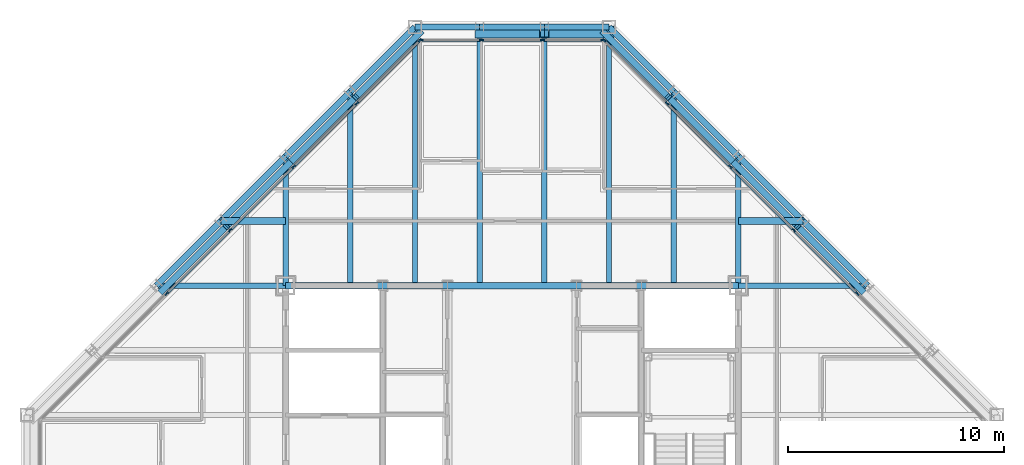
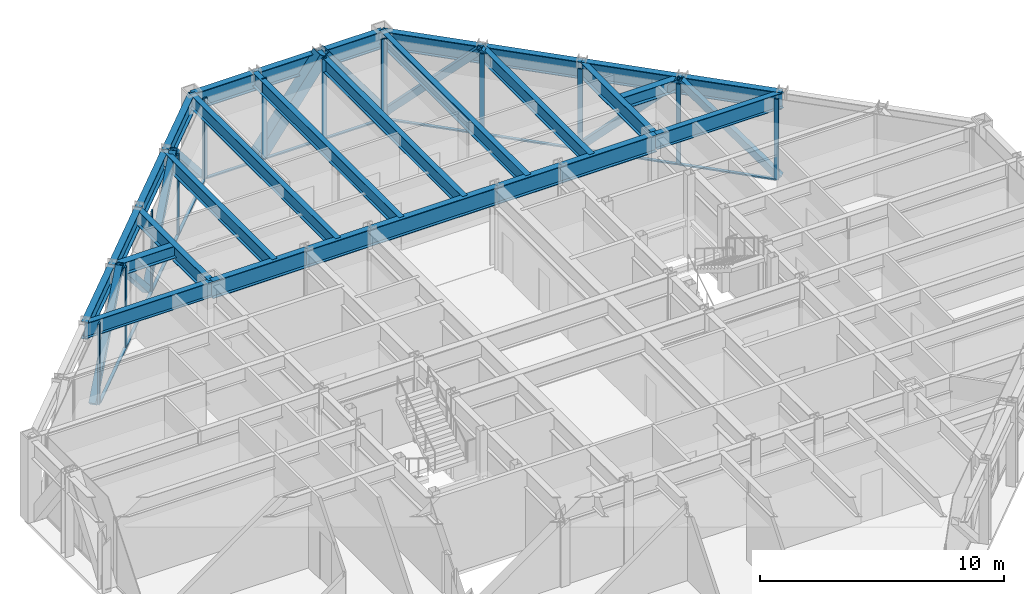
# One storey, part 8 of 15: 35 members, 28 beams, 3 elements without a shape of their own.
"""IFC4 building model written with IfcOpenShell, lengths in metres."""

from ifc_helpers import new_model, si_unit, direction, frame, origin, origin_2d, place, context, subcontext, project, spatial, rectangle, hollow_rectangle, i_section, extrude, material, layer, layer_set, material_profile, profile_set, type_object, element, aggregate, save


model = new_model("IFC4")

# Units and contexts
model_context = context("Model", 3, precision=1e-05, world=origin(), true_north=direction((0.0, 1.0)))
body_context = subcontext(model_context, "Body", "Model", "MODEL_VIEW")
ifc_project = project(units=[si_unit("LENGTHUNIT", "METRE"), si_unit("AREAUNIT", "SQUARE_METRE"), si_unit("VOLUMEUNIT", "CUBIC_METRE"), si_unit("PLANEANGLEUNIT", "RADIAN"), si_unit("MASSUNIT", "GRAM", prefix="KILO")], contexts=[model_context])

# Site, building, storey
site_placement = place(None, origin())
site = spatial("IfcSite", under=ifc_project, at=site_placement, CompositionType="ELEMENT")
building_placement = place(site_placement, origin())
building = spatial("IfcBuilding", under=site, at=building_placement, Name="Chuquiago Exchange Tower", CompositionType="ELEMENT")
storey_placement = place(building_placement, frame((0.0, 0.0, 283.199951171875)))
storey = spatial("IfcBuildingStorey", under=building, at=storey_placement, Name="L63", CompositionType="ELEMENT", Elevation=283.199951171875)

# Beams
ifc_material_1 = material(Name="Steel ASTM A992", Category="steel")
ifc_material_profile_1 = material_profile(ifc_material_1, i_section(OverallWidth=0.25390625, OverallDepth=0.683349609375, WebThickness=0.012451171875, FlangeThickness=0.018798828125, at=origin_2d()), Name="W27X94")
ifc_profile_set_1 = profile_set([ifc_material_profile_1], Name="Steel ASTM A992")
beam_type_1 = type_object("IfcBeamType", Name="B1 W27X94", PredefinedType="BEAM", material=ifc_profile_set_1)
beam_1_placement = place(storey_placement, frame((15.0, 33.0, 3.698486328125), z_axis=(0.0, 1.0, 0.0), x_axis=(-1.0, 0.0, 0.0)))
element("IfcBeam", 1, at=beam_1_placement, inside=storey, type_object=beam_type_1, Name="FB-L64-infill-15_33-15_42-0", PredefinedType="BEAM", context=body_context, shape_type="SweptSolid", body=[
    extrude(i_section(OverallWidth=0.25390625, OverallDepth=0.683349609375, WebThickness=0.012451171875, FlangeThickness=0.018798828125, at=origin_2d()), origin(), (0.0, 0.0, 1.0), 9.0),
])
for number, where, z_axis, x_axis, name in (
    (2, (18.0, 33.0, 3.698486328125), (0.0, 1.0, 0.0), (-1.0, 0.0, 0.0), "FB-L64-infill-18_33-18_45-0"),
    (3, (21.0, 33.0, 3.698486328125), (0.0, 1.0, 0.0), (-1.0, 0.0, 0.0), "FB-L64-infill-21_33-21_45-0"),
    (4, (24.0, 33.0, 3.698486328125), (0.0, 1.0, 0.0), (-1.0, 0.0, 0.0), "FB-L64-infill-24_33-24_45-0"),
    (5, (27.0, 33.0, 3.698486328125), (0.0, 1.0, 0.0), (-1.0, 0.0, 0.0), "FB-L64-infill-27_33-27_45-0"),
):
    element("IfcBeam", number, at=place(storey_placement, frame(where, z_axis=z_axis, x_axis=x_axis)), inside=storey, type_object=beam_type_1, Name=name, PredefinedType="BEAM", context=body_context, shape_type="SweptSolid", body=[
        extrude(i_section(OverallWidth=0.25390625, OverallDepth=0.683349609375, WebThickness=0.012451171875, FlangeThickness=0.018798828125, at=origin_2d()), origin(), (0.0, 0.0, 1.0), 12.0),
    ])
beam_2_placement = place(storey_placement, frame((30.0, 33.0, 3.698486328125), z_axis=(0.0, 1.0, 0.0), x_axis=(-1.0, 0.0, 0.0)))
element("IfcBeam", 6, at=beam_2_placement, inside=storey, type_object=beam_type_1, Name="FB-L64-infill-30_33-30_42-0", PredefinedType="BEAM", context=body_context, shape_type="SweptSolid", body=[
    extrude(i_section(OverallWidth=0.25390625, OverallDepth=0.683349609375, WebThickness=0.012451171875, FlangeThickness=0.018798828125, at=origin_2d()), origin(), (0.0, 0.0, 1.0), 9.0),
])
ifc_material_2 = material(Name="Steel ASTM A992", Category="steel")
ifc_material_profile_2 = material_profile(ifc_material_2, i_section(OverallWidth=0.3251953125, OverallDepth=0.612060546875, WebThickness=0.0126953125, FlangeThickness=0.01904296875, at=origin_2d()), Name="W24X104")
ifc_profile_set_2 = profile_set([ifc_material_profile_2], Name="Steel ASTM A992")
beam_type_2 = type_object("IfcBeamType", Name="B2 W24X104", PredefinedType="BEAM", material=ifc_profile_set_2)
for number, where, z_axis, x_axis, name in (
    (7, (12.0, 36.0, 3.73388671875), (-1.0, 0.0, 0.0), (0.0, -1.0, 0.0), "FB-L64-corner-12_36-9_36-0"),
    (8, (33.0, 36.0, 3.73388671875), (1.0, 0.0, 0.0), (0.0, 1.0, 0.0), "FB-L64-corner-33_36-36_36-0"),
):
    element("IfcBeam", number, at=place(storey_placement, frame(where, z_axis=z_axis, x_axis=x_axis)), inside=storey, type_object=beam_type_2, Name=name, PredefinedType="BEAM", context=body_context, shape_type="SweptSolid", body=[
        extrude(i_section(OverallWidth=0.3251953125, OverallDepth=0.612060546875, WebThickness=0.0126953125, FlangeThickness=0.01904296875, at=origin_2d()), origin(), (0.0, 0.0, 1.0), 3.0),
    ])
ifc_material_3 = material(Name="Steel ASTM A992", Category="steel")
ifc_material_profile_3 = material_profile(ifc_material_3, i_section(OverallWidth=0.2919921875, OverallDepth=0.8583984375, WebThickness=0.01708984375, FlangeThickness=0.031005859375, at=origin_2d()), Name="W33X169")
ifc_profile_set_3 = profile_set([ifc_material_profile_3], Name="Steel ASTM A992")
beam_type_3 = type_object("IfcBeamType", Name="B3 W33X169", PredefinedType="BEAM", material=ifc_profile_set_3)
beam_3_placement = place(storey_placement, frame((12.0, 33.0, 3.61083984375), z_axis=(1.0, 0.0, 0.0), x_axis=(0.0, 1.0, 0.0)))
element("IfcBeam", 9, at=beam_3_placement, inside=storey, type_object=beam_type_3, Name="CB-L64-12_33-16.5_33", PredefinedType="BEAM", context=body_context, shape_type="SweptSolid", body=[
    extrude(i_section(OverallWidth=0.2919921875, OverallDepth=0.8583984375, WebThickness=0.01708984375, FlangeThickness=0.031005859375, at=origin_2d()), origin(), (0.0, 0.0, 1.0), 4.5),
])
beam_4_placement = place(storey_placement, frame((16.5, 33.0, 3.61083984375), z_axis=(1.0, 0.0, 0.0), x_axis=(0.0, 1.0, 0.0)))
element("IfcBeam", 10, at=beam_4_placement, inside=storey, type_object=beam_type_3, Name="CB-L64-16.5_33-19.5_33", PredefinedType="BEAM", context=body_context, shape_type="SweptSolid", body=[
    extrude(i_section(OverallWidth=0.2919921875, OverallDepth=0.8583984375, WebThickness=0.01708984375, FlangeThickness=0.031005859375, at=origin_2d()), origin(), (0.0, 0.0, 1.0), 3.0),
])
beam_5_placement = place(storey_placement, frame((19.5, 33.0, 3.61083984375), z_axis=(1.0, 0.0, 0.0), x_axis=(0.0, 1.0, 0.0)))
element("IfcBeam", 11, at=beam_5_placement, inside=storey, type_object=beam_type_3, Name="CB-L64-19.5_33-25.5_33", PredefinedType="BEAM", context=body_context, shape_type="SweptSolid", body=[
    extrude(i_section(OverallWidth=0.2919921875, OverallDepth=0.8583984375, WebThickness=0.01708984375, FlangeThickness=0.031005859375, at=origin_2d()), origin(), (0.0, 0.0, 1.0), 6.0),
])
beam_6_placement = place(storey_placement, frame((25.5, 33.0, 3.61083984375), z_axis=(1.0, 0.0, 0.0), x_axis=(0.0, 1.0, 0.0)))
element("IfcBeam", 12, at=beam_6_placement, inside=storey, type_object=beam_type_3, Name="CB-L64-25.5_33-28.5_33", PredefinedType="BEAM", context=body_context, shape_type="SweptSolid", body=[
    extrude(i_section(OverallWidth=0.2919921875, OverallDepth=0.8583984375, WebThickness=0.01708984375, FlangeThickness=0.031005859375, at=origin_2d()), origin(), (0.0, 0.0, 1.0), 3.0),
])
beam_7_placement = place(storey_placement, frame((28.5, 33.0, 3.61083984375), z_axis=(1.0, 0.0, 0.0), x_axis=(0.0, 1.0, 0.0)))
element("IfcBeam", 13, at=beam_7_placement, inside=storey, type_object=beam_type_3, Name="CB-L64-28.5_33-33_33", PredefinedType="BEAM", context=body_context, shape_type="SweptSolid", body=[
    extrude(i_section(OverallWidth=0.2919921875, OverallDepth=0.8583984375, WebThickness=0.01708984375, FlangeThickness=0.031005859375, at=origin_2d()), origin(), (0.0, 0.0, 1.0), 4.5),
])

# Curtain wall, members
ifc_material_4 = material(Name="Aluminium curtain wall system", Category="aluminium")
ifc_layer_1 = layer(ifc_material_4, 0.22509765625)
ifc_layer_set_1 = layer_set([ifc_layer_1], Name="CW2 office curtain wall")
curtain_wall_type_1 = type_object("IfcCurtainWallType", Name="CW2 office curtain wall", PredefinedType="NOTDEFINED", material=ifc_layer_set_1)
curtain_wall_1_placement = place(storey_placement, origin())
curtain_wall_1 = element("IfcCurtainWall", 14, at=curtain_wall_1_placement, inside=storey, type_object=curtain_wall_type_1, Name="CW2 curtain wall L63", PredefinedType="NOTDEFINED")
ifc_material_5 = material(Name="Aluminium mullion, pale anodised", Category="aluminium")
ifc_material_profile_4 = material_profile(ifc_material_5, rectangle(XDim=0.06494140625, YDim=0.22509765625, at=origin_2d()), Name="AL 65x225")
ifc_profile_set_4 = profile_set([ifc_material_profile_4], Name="Aluminium mullion, pale anodised")
member_type_1 = type_object("IfcMemberType", Name="CW2-M mullion 65x225", PredefinedType="MULLION", material=ifc_profile_set_4)
member_1_placement = place(storey_placement, frame((26.718994140625, 44.39990234375, 0.0), z_axis=(0.0, 0.0, 1.0), x_axis=(0.0, -1.0, 0.0)))
member_1 = element("IfcMember", 15, at=member_1_placement, type_object=member_type_1, Name="CW2 mullion 1", PredefinedType="MULLION", context=body_context, shape_type="SweptSolid", body=[
    extrude(rectangle(XDim=0.06494140625, YDim=0.22509765625, at=origin_2d()), origin(), (0.0, 0.0, 1.0), 4.0400390625),
])
member_2_placement = place(storey_placement, frame((23.917236328125, 44.39990234375, 0.0), z_axis=(0.0, 0.0, 1.0), x_axis=(0.0, -1.0, 0.0)))
member_2 = element("IfcMember", 16, at=member_2_placement, type_object=member_type_1, Name="CW2 mullion 2", PredefinedType="MULLION", context=body_context, shape_type="SweptSolid", body=[
    extrude(rectangle(XDim=0.06494140625, YDim=0.22509765625, at=origin_2d()), origin(), (0.0, 0.0, 1.0), 4.0400390625),
])
member_3_placement = place(storey_placement, frame((21.082763671875, 44.39990234375, 0.0), z_axis=(0.0, 0.0, 1.0), x_axis=(0.0, -1.0, 0.0)))
member_3 = element("IfcMember", 17, at=member_3_placement, type_object=member_type_1, Name="CW2 mullion 3", PredefinedType="MULLION", context=body_context, shape_type="SweptSolid", body=[
    extrude(rectangle(XDim=0.06494140625, YDim=0.22509765625, at=origin_2d()), origin(), (0.0, 0.0, 1.0), 4.0400390625),
])
member_4_placement = place(storey_placement, frame((18.281005859375, 44.39990234375, 0.0), z_axis=(0.0, 0.0, 1.0), x_axis=(0.0, -1.0, 0.0)))
member_4 = element("IfcMember", 18, at=member_4_placement, type_object=member_type_1, Name="CW2 mullion 4", PredefinedType="MULLION", context=body_context, shape_type="SweptSolid", body=[
    extrude(rectangle(XDim=0.06494140625, YDim=0.22509765625, at=origin_2d()), origin(), (0.0, 0.0, 1.0), 4.0400390625),
])
ifc_material_6 = material(Name="Aluminium transom, pale anodised", Category="aluminium")
ifc_material_profile_5 = material_profile(ifc_material_6, rectangle(XDim=0.139892578125, YDim=0.06494140625, at=origin_2d()), Name="AL 140x65")
ifc_profile_set_5 = profile_set([ifc_material_profile_5], Name="Aluminium transom, pale anodised")
member_type_2 = type_object("IfcMemberType", Name="CW2-T transom 65x140", PredefinedType="MULLION", material=ifc_profile_set_5)
member_5_placement = place(storey_placement, frame((26.6865234375, 44.39990234375, 0.032470703125), z_axis=(-1.0, 0.0, 0.0), x_axis=(0.0, -1.0, 0.0)))
member_5 = element("IfcMember", 19, at=member_5_placement, type_object=member_type_2, Name="CW2 transom 1.1", PredefinedType="MULLION", context=body_context, shape_type="SweptSolid", body=[
    extrude(rectangle(XDim=0.139892578125, YDim=0.06494140625, at=origin_2d()), origin(), (0.0, 0.0, 1.0), 2.73681640625),
])
member_6_placement = place(storey_placement, frame((23.884765625, 44.39990234375, 0.032470703125), z_axis=(-1.0, 0.0, 0.0), x_axis=(0.0, -1.0, 0.0)))
member_6 = element("IfcMember", 20, at=member_6_placement, type_object=member_type_2, Name="CW2 transom 2.1", PredefinedType="MULLION", context=body_context, shape_type="SweptSolid", body=[
    extrude(rectangle(XDim=0.139892578125, YDim=0.06494140625, at=origin_2d()), origin(), (0.0, 0.0, 1.0), 2.76953125),
])
member_7_placement = place(storey_placement, frame((21.05029296875, 44.39990234375, 0.032470703125), z_axis=(-1.0, 0.0, 0.0), x_axis=(0.0, -1.0, 0.0)))
member_7 = element("IfcMember", 21, at=member_7_placement, type_object=member_type_2, Name="CW2 transom 3.1", PredefinedType="MULLION", context=body_context, shape_type="SweptSolid", body=[
    extrude(rectangle(XDim=0.139892578125, YDim=0.06494140625, at=origin_2d()), origin(), (0.0, 0.0, 1.0), 2.73681640625),
])
aggregate(curtain_wall_1, [member_1, member_2, member_3, member_4, member_5, member_6, member_7])

ifc_material_7 = material(Name="Aluminium curtain wall system", Category="aluminium")
ifc_layer_2 = layer(ifc_material_7, 0.199951171875)
ifc_layer_set_2 = layer_set([ifc_layer_2], Name="CW3 facet curtain wall")
curtain_wall_type_2 = type_object("IfcCurtainWallType", Name="CW3 facet curtain wall", PredefinedType="NOTDEFINED", material=ifc_layer_set_2)
curtain_wall_2_placement = place(storey_placement, origin())
curtain_wall_2 = element("IfcCurtainWall", 22, at=curtain_wall_2_placement, inside=storey, type_object=curtain_wall_type_2, Name="CW3 curtain wall L63", PredefinedType="NOTDEFINED")
ifc_material_8 = material(Name="Aluminium mullion, pale anodised", Category="aluminium")
ifc_material_profile_6 = material_profile(ifc_material_8, rectangle(XDim=0.06494140625, YDim=0.199951171875, at=origin_2d()), Name="AL 65x200")
ifc_profile_set_6 = profile_set([ifc_material_profile_6], Name="Aluminium mullion, pale anodised")
member_type_3 = type_object("IfcMemberType", Name="CW3-M mullion 65x200", PredefinedType="MULLION", material=ifc_profile_set_6)
member_8_placement = place(storey_placement, frame((38.51708984375, 32.63427734375, 0.0), z_axis=(0.0, 0.0, 1.0), x_axis=(-0.707106781187, -0.707106781187, 0.0)))
member_8 = element("IfcMember", 23, at=member_8_placement, type_object=member_type_3, Name="CW3 mullion 3", PredefinedType="MULLION", context=body_context, shape_type="SweptSolid", body=[
    extrude(rectangle(XDim=0.06494140625, YDim=0.199951171875, at=origin_2d()), origin(), (0.0, 0.0, 1.0), 4.0400390625),
])
member_9_placement = place(storey_placement, frame((35.57568359375, 35.57568359375, 0.0), z_axis=(0.0, 0.0, 1.0), x_axis=(-0.707106781187, -0.707106781187, 0.0)))
member_9 = element("IfcMember", 24, at=member_9_placement, type_object=member_type_3, Name="CW3 mullion 4", PredefinedType="MULLION", context=body_context, shape_type="SweptSolid", body=[
    extrude(rectangle(XDim=0.06494140625, YDim=0.199951171875, at=origin_2d()), origin(), (0.0, 0.0, 1.0), 4.0400390625),
])
member_10_placement = place(storey_placement, frame((32.63427734375, 38.51708984375, 0.0), z_axis=(0.0, 0.0, 1.0), x_axis=(-0.707106781187, -0.707106781187, 0.0)))
member_10 = element("IfcMember", 25, at=member_10_placement, type_object=member_type_3, Name="CW3 mullion 5", PredefinedType="MULLION", context=body_context, shape_type="SweptSolid", body=[
    extrude(rectangle(XDim=0.06494140625, YDim=0.199951171875, at=origin_2d()), origin(), (0.0, 0.0, 1.0), 4.0400390625),
])
member_11_placement = place(storey_placement, frame((29.69287109375, 41.45849609375, 0.0), z_axis=(0.0, 0.0, 1.0), x_axis=(-0.707106781187, -0.707106781187, 0.0)))
member_11 = element("IfcMember", 26, at=member_11_placement, type_object=member_type_3, Name="CW3 mullion 6", PredefinedType="MULLION", context=body_context, shape_type="SweptSolid", body=[
    extrude(rectangle(XDim=0.06494140625, YDim=0.199951171875, at=origin_2d()), origin(), (0.0, 0.0, 1.0), 4.0400390625),
])
member_12_placement = place(storey_placement, frame((26.7744140625, 44.376953125, 0.0), z_axis=(0.0, 0.0, 1.0), x_axis=(-0.707106781187, -0.707106781187, 0.0)))
member_12 = element("IfcMember", 27, at=member_12_placement, type_object=member_type_3, Name="CW3 mullion 7", PredefinedType="MULLION", context=body_context, shape_type="SweptSolid", body=[
    extrude(rectangle(XDim=0.06494140625, YDim=0.199951171875, at=origin_2d()), origin(), (0.0, 0.0, 1.0), 4.0400390625),
])

curtain_wall_3_placement = place(storey_placement, origin())
curtain_wall_3 = element("IfcCurtainWall", 28, at=curtain_wall_3_placement, inside=storey, type_object=curtain_wall_type_2, Name="CW3 curtain wall L63", PredefinedType="NOTDEFINED")
member_13_placement = place(storey_placement, frame((18.2255859375, 44.376953125, 0.0), z_axis=(0.0, 0.0, 1.0), x_axis=(0.707106781187, -0.707106781187, 0.0)))
member_13 = element("IfcMember", 29, at=member_13_placement, type_object=member_type_3, Name="CW3 mullion 1", PredefinedType="MULLION", context=body_context, shape_type="SweptSolid", body=[
    extrude(rectangle(XDim=0.06494140625, YDim=0.199951171875, at=origin_2d()), origin(), (0.0, 0.0, 1.0), 4.0400390625),
])
member_14_placement = place(storey_placement, frame((15.30712890625, 41.45849609375, 0.0), z_axis=(0.0, 0.0, 1.0), x_axis=(0.707106781187, -0.707106781187, 0.0)))
member_14 = element("IfcMember", 30, at=member_14_placement, type_object=member_type_3, Name="CW3 mullion 2", PredefinedType="MULLION", context=body_context, shape_type="SweptSolid", body=[
    extrude(rectangle(XDim=0.06494140625, YDim=0.199951171875, at=origin_2d()), origin(), (0.0, 0.0, 1.0), 4.0400390625),
])
member_15_placement = place(storey_placement, frame((12.36572265625, 38.51708984375, 0.0), z_axis=(0.0, 0.0, 1.0), x_axis=(0.707106781187, -0.707106781187, 0.0)))
member_15 = element("IfcMember", 31, at=member_15_placement, type_object=member_type_3, Name="CW3 mullion 3", PredefinedType="MULLION", context=body_context, shape_type="SweptSolid", body=[
    extrude(rectangle(XDim=0.06494140625, YDim=0.199951171875, at=origin_2d()), origin(), (0.0, 0.0, 1.0), 4.0400390625),
])
member_16_placement = place(storey_placement, frame((9.42431640625, 35.57568359375, 0.0), z_axis=(0.0, 0.0, 1.0), x_axis=(0.707106781187, -0.707106781187, 0.0)))
member_16 = element("IfcMember", 32, at=member_16_placement, type_object=member_type_3, Name="CW3 mullion 4", PredefinedType="MULLION", context=body_context, shape_type="SweptSolid", body=[
    extrude(rectangle(XDim=0.06494140625, YDim=0.199951171875, at=origin_2d()), origin(), (0.0, 0.0, 1.0), 4.0400390625),
])
member_17_placement = place(storey_placement, frame((6.48291015625, 32.63427734375, 0.0), z_axis=(0.0, 0.0, 1.0), x_axis=(0.707106781187, -0.707106781187, 0.0)))
member_17 = element("IfcMember", 33, at=member_17_placement, type_object=member_type_3, Name="CW3 mullion 5", PredefinedType="MULLION", context=body_context, shape_type="SweptSolid", body=[
    extrude(rectangle(XDim=0.06494140625, YDim=0.199951171875, at=origin_2d()), origin(), (0.0, 0.0, 1.0), 4.0400390625),
])

# Member
ifc_material_9 = material(Name="Aluminium transom, pale anodised", Category="aluminium")
ifc_material_profile_7 = material_profile(ifc_material_9, rectangle(XDim=0.139892578125, YDim=0.06494140625, at=origin_2d()), Name="AL 140x65")
ifc_profile_set_7 = profile_set([ifc_material_profile_7], Name="Aluminium transom, pale anodised")
member_type_4 = type_object("IfcMemberType", Name="CW3-T transom 65x140", PredefinedType="MULLION", material=ifc_profile_set_7)
member_18_placement = place(storey_placement, frame((38.494140625, 32.6572265625, 0.032470703125), z_axis=(-0.707106781187, 0.707106781187, 0.0), x_axis=(-0.707106781187, -0.707106781187, 0.0)))
member_18 = element("IfcMember", 34, at=member_18_placement, type_object=member_type_4, Name="CW3 transom 3.1", PredefinedType="MULLION", context=body_context, shape_type="SweptSolid", body=[
    extrude(rectangle(XDim=0.139892578125, YDim=0.06494140625, at=origin_2d()), origin(), (0.0, 0.0, 1.0), 4.094970703125),
])

member_19_placement = place(storey_placement, frame((35.552734375, 35.5986328125, 0.032470703125), z_axis=(-0.707106781187, 0.707106781187, 0.0), x_axis=(-0.707106781187, -0.707106781187, 0.0)))
member_19 = element("IfcMember", 35, at=member_19_placement, type_object=member_type_4, Name="CW3 transom 4.1", PredefinedType="MULLION", context=body_context, shape_type="SweptSolid", body=[
    extrude(rectangle(XDim=0.139892578125, YDim=0.06494140625, at=origin_2d()), origin(), (0.0, 0.0, 1.0), 4.094970703125),
])

member_20_placement = place(storey_placement, frame((32.611328125, 38.5400390625, 0.032470703125), z_axis=(-0.707106781187, 0.707106781187, 0.0), x_axis=(-0.707106781187, -0.707106781187, 0.0)))
member_20 = element("IfcMember", 36, at=member_20_placement, type_object=member_type_4, Name="CW3 transom 5.1", PredefinedType="MULLION", context=body_context, shape_type="SweptSolid", body=[
    extrude(rectangle(XDim=0.139892578125, YDim=0.06494140625, at=origin_2d()), origin(), (0.0, 0.0, 1.0), 4.094970703125),
])

member_21_placement = place(storey_placement, frame((29.669921875, 41.4814453125, 0.032470703125), z_axis=(-0.707106781187, 0.707106781187, 0.0), x_axis=(-0.707106781187, -0.707106781187, 0.0)))
member_21 = element("IfcMember", 37, at=member_21_placement, type_object=member_type_4, Name="CW3 transom 6.1", PredefinedType="MULLION", context=body_context, shape_type="SweptSolid", body=[
    extrude(rectangle(XDim=0.139892578125, YDim=0.06494140625, at=origin_2d()), origin(), (0.0, 0.0, 1.0), 4.0625),
])

aggregate(curtain_wall_2, [member_8, member_9, member_10, member_11, member_12, member_18, member_19, member_20, member_21])

member_22_placement = place(storey_placement, frame((18.20263671875, 44.35400390625, 0.032470703125), z_axis=(-0.707106781187, -0.707106781187, 0.0), x_axis=(0.707106781187, -0.707106781187, 0.0)))
member_22 = element("IfcMember", 38, at=member_22_placement, type_object=member_type_4, Name="CW3 transom 1.1", PredefinedType="MULLION", context=body_context, shape_type="SweptSolid", body=[
    extrude(rectangle(XDim=0.139892578125, YDim=0.06494140625, at=origin_2d()), origin(), (0.0, 0.0, 1.0), 4.0625),
])

member_23_placement = place(storey_placement, frame((15.2841796875, 41.435546875, 0.032470703125), z_axis=(-0.707106781187, -0.707106781187, 0.0), x_axis=(0.707106781187, -0.707106781187, 0.0)))
member_23 = element("IfcMember", 39, at=member_23_placement, type_object=member_type_4, Name="CW3 transom 2.1", PredefinedType="MULLION", context=body_context, shape_type="SweptSolid", body=[
    extrude(rectangle(XDim=0.139892578125, YDim=0.06494140625, at=origin_2d()), origin(), (0.0, 0.0, 1.0), 4.094970703125),
])

member_24_placement = place(storey_placement, frame((12.3427734375, 38.494140625, 0.032470703125), z_axis=(-0.707106781187, -0.707106781187, 0.0), x_axis=(0.707106781187, -0.707106781187, 0.0)))
member_24 = element("IfcMember", 40, at=member_24_placement, type_object=member_type_4, Name="CW3 transom 3.1", PredefinedType="MULLION", context=body_context, shape_type="SweptSolid", body=[
    extrude(rectangle(XDim=0.139892578125, YDim=0.06494140625, at=origin_2d()), origin(), (0.0, 0.0, 1.0), 4.094970703125),
])

member_25_placement = place(storey_placement, frame((9.4013671875, 35.552734375, 0.032470703125), z_axis=(-0.707106781187, -0.707106781187, 0.0), x_axis=(0.707106781187, -0.707106781187, 0.0)))
member_25 = element("IfcMember", 41, at=member_25_placement, type_object=member_type_4, Name="CW3 transom 4.1", PredefinedType="MULLION", context=body_context, shape_type="SweptSolid", body=[
    extrude(rectangle(XDim=0.139892578125, YDim=0.06494140625, at=origin_2d()), origin(), (0.0, 0.0, 1.0), 4.094970703125),
])

aggregate(curtain_wall_3, [member_13, member_14, member_15, member_16, member_17, member_22, member_23, member_24, member_25])

# Beams
ifc_material_10 = material(Name="Steel ASTM A992", Category="steel")
ifc_material_profile_8 = material_profile(ifc_material_10, i_section(OverallWidth=0.2666015625, OverallDepth=0.76953125, WebThickness=0.015625, FlangeThickness=0.025390625, at=origin_2d()), Name="W30X132")
ifc_profile_set_8 = profile_set([ifc_material_profile_8], Name="Steel ASTM A992")
beam_type_4 = type_object("IfcBeamType", Name="G1 W30X132", PredefinedType="BEAM", material=ifc_profile_set_8)
for number, where, z_axis, x_axis, name in (
    (42, (12.0, 33.0, 3.6552734375), (0.0, 1.0, 0.0), (-1.0, 0.0, 0.0), "FB-L64-girder-12_33-12_39-0"),
    (43, (33.0, 33.0, 3.6552734375), (0.0, 1.0, 0.0), (-1.0, 0.0, 0.0), "FB-L64-girder-33_33-33_39-0"),
    (44, (33.0, 33.0, 3.6552734375), (1.0, 0.0, 0.0), (0.0, 1.0, 0.0), "FB-L64-girder-33_33-39_33-0"),
    (45, (12.0, 33.0, 3.6552734375), (-1.0, 0.0, 0.0), (0.0, -1.0, 0.0), "FB-L64-girder-12_33-6_33-0"),
):
    element("IfcBeam", number, at=place(storey_placement, frame(where, z_axis=z_axis, x_axis=x_axis)), inside=storey, type_object=beam_type_4, Name=name, PredefinedType="BEAM", context=body_context, shape_type="SweptSolid", body=[
        extrude(i_section(OverallWidth=0.2666015625, OverallDepth=0.76953125, WebThickness=0.015625, FlangeThickness=0.025390625, at=origin_2d()), origin(), (0.0, 0.0, 1.0), 6.0),
    ])

# Members
ifc_material_11 = material(Name="Steel ASTM A500 Grade C", Category="steel")
ifc_material_profile_9 = material_profile(ifc_material_11, hollow_rectangle(XDim=0.3046875, YDim=0.3046875, WallThickness=0.0146484375, at=origin_2d()), Name="HSS12X12X5/8")
ifc_profile_set_9 = profile_set([ifc_material_profile_9], Name="Steel ASTM A500 Grade C")
member_type_5 = type_object("IfcMemberType", Name="LB3 HSS12X12X5/8", PredefinedType="BRACE", material=ifc_profile_set_9)
for number, where, z_axis, x_axis, name in (
    (46, (38.750732421875, 32.750732421875, 0.0), (-0.512077265487, 0.512077265487, 0.689604051861), (-0.707106781187, -0.707106781187, 0.0), "LB-L63-39_33-36_36"),
    (47, (32.750732421875, 38.750732421875, 0.0), (0.512077265487, -0.512077265487, 0.689604051861), (0.707106781187, 0.707106781187, 0.0), "LB-L63-36_36-33_39"),
    (48, (32.750732421875, 38.750732421875, 0.0), (-0.512077265487, 0.512077265487, 0.689604051861), (-0.707106781187, -0.707106781187, 0.0), "LB-L63-33_39-30_42"),
    (49, (26.750732421875, 44.750732421875, 0.0), (0.512077265487, -0.512077265487, 0.689604051861), (0.707106781187, 0.707106781187, 0.0), "LB-L63-30_42-27_45"),
    (50, (18.249267578125, 44.750732421875, 0.0), (-0.512077265487, -0.512077265487, 0.689604051861), (0.707106781187, -0.707106781187, 0.0), "LB-L63-18_45-15_42"),
    (51, (12.249267578125, 38.750732421875, 0.0), (0.512077265487, 0.512077265487, 0.689604051861), (-0.707106781187, 0.707106781187, 0.0), "LB-L63-15_42-12_39"),
    (52, (12.249267578125, 38.750732421875, 0.0), (-0.512077265487, -0.512077265487, 0.689604051861), (0.707106781187, -0.707106781187, 0.0), "LB-L63-12_39-9_36"),
    (53, (6.249267578125, 32.750732421875, 0.0), (0.512077265487, 0.512077265487, 0.689604051861), (-0.707106781187, 0.707106781187, 0.0), "LB-L63-9_36-6_33"),
):
    element("IfcMember", number, at=place(storey_placement, frame(where, z_axis=z_axis, x_axis=x_axis)), inside=storey, type_object=member_type_5, Name=name, PredefinedType="BRACE", context=body_context, shape_type="SweptSolid", body=[
        extrude(hollow_rectangle(XDim=0.3046875, YDim=0.3046875, WallThickness=0.0146484375, at=origin_2d()), origin(), (0.0, 0.0, 1.0), 5.8583984375),
    ])
ifc_material_12 = material(Name="Steel ASTM A572 Grade 50", Category="steel")
ifc_material_profile_10 = material_profile(ifc_material_12, hollow_rectangle(XDim=0.550048828125, YDim=0.550048828125, WallThickness=0.044921875, at=origin_2d()), Name="BOX550X550X45")
ifc_profile_set_10 = profile_set([ifc_material_profile_10], Name="Steel ASTM A572 Grade 50")
member_type_6 = type_object("IfcMemberType", Name="MB4 BOX550X550X45", PredefinedType="BRACE", material=ifc_profile_set_10)
for number, where, z_axis, x_axis, name in (
    (54, (27.0, 44.77001953125, 0.0), (-0.596173923302, 0.0, 0.802855312728), (0.0, -1.0, 0.0), "Mega diagonal L63 N face"),
    (55, (21.0, 44.77001953125, 0.0), (0.596173923302, 0.0, 0.802855312728), (0.0, 1.0, 0.0), "Mega diagonal L63 N face"),
):
    element("IfcMember", number, at=place(storey_placement, frame(where, z_axis=z_axis, x_axis=x_axis)), inside=storey, type_object=member_type_6, Name=name, PredefinedType="BRACE", context=body_context, shape_type="SweptSolid", body=[
        extrude(hollow_rectangle(XDim=0.550048828125, YDim=0.550048828125, WallThickness=0.044921875, at=origin_2d()), origin(), (0.0, 0.0, 1.0), 5.031982421875),
    ])

# Beams
ifc_material_13 = material(Name="Steel ASTM A992", Category="steel")
ifc_material_profile_11 = material_profile(ifc_material_13, i_section(OverallWidth=0.2919921875, OverallDepth=0.8583984375, WebThickness=0.01708984375, FlangeThickness=0.031005859375, at=origin_2d()), Name="W33X169")
ifc_profile_set_11 = profile_set([ifc_material_profile_11], Name="Steel ASTM A992")
beam_type_5 = type_object("IfcBeamType", Name="SP4 W33X169", PredefinedType="SPANDREL", material=ifc_profile_set_11)
for number, where, z_axis, x_axis, name in (
    (56, (39.0, 33.0, 3.61083984375), (-0.707106781187, 0.707106781187, 0.0), (-0.707106781187, -0.707106781187, 0.0), "SPB-L64-39_33-36_36"),
    (57, (36.0, 36.0, 3.61083984375), (-0.707106781187, 0.707106781187, 0.0), (-0.707106781187, -0.707106781187, 0.0), "SPB-L64-36_36-33_39"),
    (58, (33.0, 39.0, 3.61083984375), (-0.707106781187, 0.707106781187, 0.0), (-0.707106781187, -0.707106781187, 0.0), "SPB-L64-33_39-30_42"),
    (59, (30.0, 42.0, 3.61083984375), (-0.707106781187, 0.707106781187, 0.0), (-0.707106781187, -0.707106781187, 0.0), "SPB-L64-30_42-27_45"),
):
    element("IfcBeam", number, at=place(storey_placement, frame(where, z_axis=z_axis, x_axis=x_axis)), inside=storey, type_object=beam_type_5, Name=name, PredefinedType="SPANDREL", context=body_context, shape_type="SweptSolid", body=[
        extrude(i_section(OverallWidth=0.2919921875, OverallDepth=0.8583984375, WebThickness=0.01708984375, FlangeThickness=0.031005859375, at=origin_2d()), origin(), (0.0, 0.0, 1.0), 4.24267578125),
    ])
for number, where, z_axis, x_axis, name in (
    (60, (27.0, 45.0, 3.61083984375), (-1.0, 0.0, 0.0), (0.0, -1.0, 0.0), "SPB-L64-27_45-24_45"),
    (61, (24.0, 45.0, 3.61083984375), (-1.0, 0.0, 0.0), (0.0, -1.0, 0.0), "SPB-L64-24_45-21_45"),
    (62, (21.0, 45.0, 3.61083984375), (-1.0, 0.0, 0.0), (0.0, -1.0, 0.0), "SPB-L64-21_45-18_45"),
):
    element("IfcBeam", number, at=place(storey_placement, frame(where, z_axis=z_axis, x_axis=x_axis)), inside=storey, type_object=beam_type_5, Name=name, PredefinedType="SPANDREL", context=body_context, shape_type="SweptSolid", body=[
        extrude(i_section(OverallWidth=0.2919921875, OverallDepth=0.8583984375, WebThickness=0.01708984375, FlangeThickness=0.031005859375, at=origin_2d()), origin(), (0.0, 0.0, 1.0), 3.0),
    ])
for number, where, z_axis, x_axis, name in (
    (63, (18.0, 45.0, 3.61083984375), (-0.707106781187, -0.707106781187, 0.0), (0.707106781187, -0.707106781187, 0.0), "SPB-L64-18_45-15_42"),
    (64, (15.0, 42.0, 3.61083984375), (-0.707106781187, -0.707106781187, 0.0), (0.707106781187, -0.707106781187, 0.0), "SPB-L64-15_42-12_39"),
    (65, (12.0, 39.0, 3.61083984375), (-0.707106781187, -0.707106781187, 0.0), (0.707106781187, -0.707106781187, 0.0), "SPB-L64-12_39-9_36"),
    (66, (9.0, 36.0, 3.61083984375), (-0.707106781187, -0.707106781187, 0.0), (0.707106781187, -0.707106781187, 0.0), "SPB-L64-9_36-6_33"),
):
    element("IfcBeam", number, at=place(storey_placement, frame(where, z_axis=z_axis, x_axis=x_axis)), inside=storey, type_object=beam_type_5, Name=name, PredefinedType="SPANDREL", context=body_context, shape_type="SweptSolid", body=[
        extrude(i_section(OverallWidth=0.2919921875, OverallDepth=0.8583984375, WebThickness=0.01708984375, FlangeThickness=0.031005859375, at=origin_2d()), origin(), (0.0, 0.0, 1.0), 4.24267578125),
    ])

save(model, "model.ifc")
